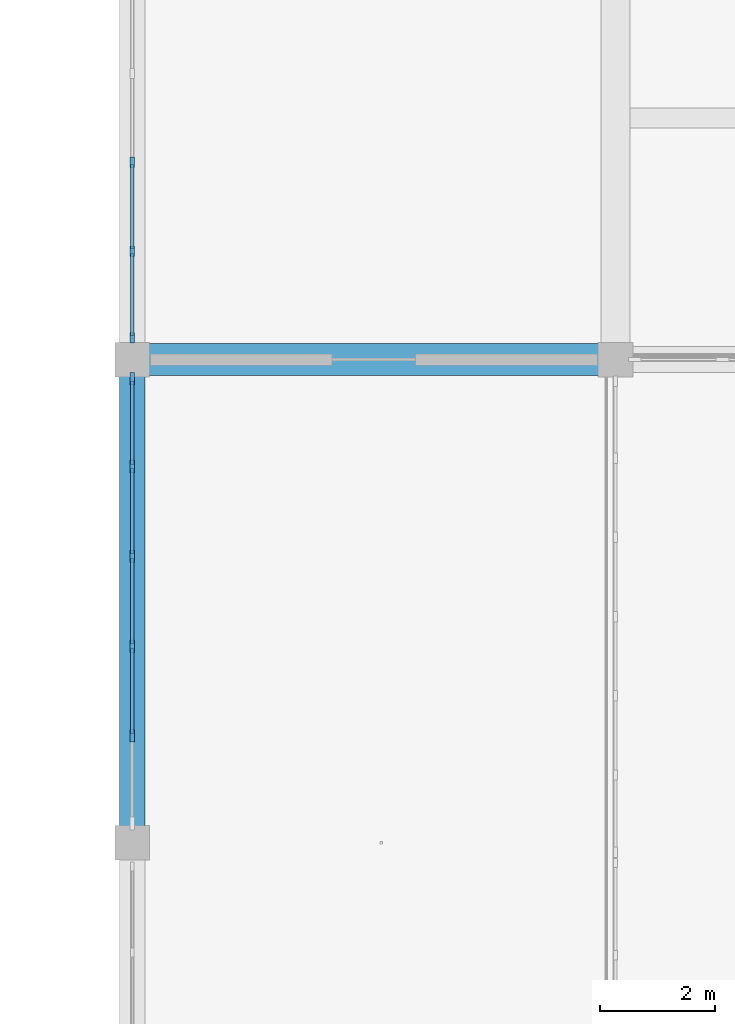
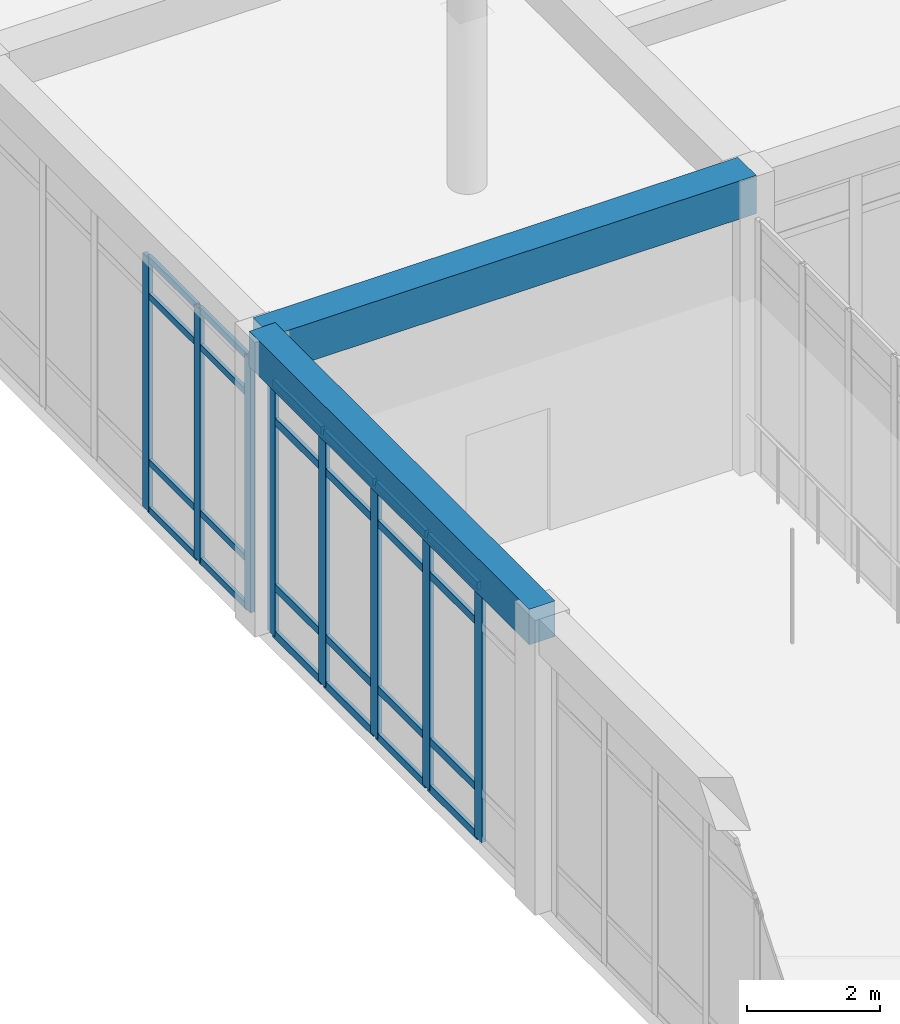
# One storey, part 14 of 157: 32 members, 2 beams, 2 elements without a shape of their own.
"""IFC4 building model written with IfcOpenShell, lengths in metres."""

import ifcopenshell
import ifcopenshell.guid

model = None  # the IFC model being written
_history = None  # IfcOwnerHistory: only IFC2X3 demands one
_inside = {}  # id of a spatial element -> (the spatial element, [elements in it])
_under = {}  # id of a project, library or spatial element -> (it, [spatial elements below it])
_declared = {}  # id of a project -> (the project, [libraries it declares])
_typed = {}  # id of a type object -> (the type object, [elements of that type])
_made_of = {}  # id of a material, layer set ... -> (it, [elements and type objects made of it])


def new_model(schema):
    """Start an empty IFC model of exactly this schema.

    Asked for "IFC4X3", IfcOpenShell would pick the latest addendum, in which some entities
    have other attributes; the version numbers below select the first issue.
    IFC2X3 requires an IfcOwnerHistory on every rooted entity: one is made here for all.
    """
    global model, _history
    if schema == "IFC4X3":
        model = ifcopenshell.file(schema_version=(4, 3, 0, 0))
    else:
        model = ifcopenshell.file(schema=schema)
    _inside.clear()
    _under.clear()
    _declared.clear()
    _typed.clear()
    _made_of.clear()
    _history = None
    if model.schema == "IFC2X3":
        org = make("IfcOrganization", Name="unknown")
        user = make(
            "IfcPersonAndOrganization",
            ThePerson=make("IfcPerson", FamilyName="unknown"),
            TheOrganization=org,
        )
        app = make(
            "IfcApplication",
            ApplicationDeveloper=org,
            Version="unknown",
            ApplicationFullName="unknown",
            ApplicationIdentifier="unknown",
        )
        _history = make(
            "IfcOwnerHistory",
            OwningUser=user,
            OwningApplication=app,
            ChangeAction="ADDED",
            CreationDate=0,
        )
    return model


def make(cls, **values):
    """One entity of the class cls with the attributes given. An attribute that is None is left unset."""
    return model.create_entity(
        cls, **{name: value for name, value in values.items() if value is not None}
    )


def rooted(cls, **values):
    """An entity with a GlobalId (a new one), such as an element, a storey or a relation."""
    return make(cls, GlobalId=ifcopenshell.guid.new(), OwnerHistory=_history, **values)


def si_unit(unit_type, name, prefix=None):
    """IfcSIUnit, for example si_unit("LENGTHUNIT", "METRE", prefix="MILLI")."""
    return make("IfcSIUnit", UnitType=unit_type, Prefix=prefix, Name=name)


def assignment(units):
    """IfcUnitAssignment: the units of a project."""
    return None if units is None else make("IfcUnitAssignment", Units=units)


def point(xyz):
    """IfcCartesianPoint."""
    return None if xyz is None else make("IfcCartesianPoint", Coordinates=xyz)


def direction(xyz):
    """IfcDirection."""
    return None if xyz is None else make("IfcDirection", DirectionRatios=xyz)


def frame(location, z_axis=None, x_axis=None):
    """IfcAxis2Placement3D, a coordinate frame: its origin and axes. An axis left out is left unset."""
    return make(
        "IfcAxis2Placement3D",
        Location=point(location),
        Axis=direction(z_axis),
        RefDirection=direction(x_axis),
    )


def frame_2d(location, x_axis=None):
    """IfcAxis2Placement2D, a coordinate frame in the plane: its origin and x axis."""
    return make(
        "IfcAxis2Placement2D", Location=point(location), RefDirection=direction(x_axis)
    )


def origin():
    """The frame at (0, 0, 0) with its axes left unset."""
    return frame((0.0, 0.0, 0.0))


def origin_2d():
    """The frame at (0, 0) in the plane with its x axis left unset."""
    return frame_2d((0.0, 0.0))


def place(relative_to, where):
    """IfcLocalPlacement: puts the frame where relative to a parent placement (None: the world)."""
    return make(
        "IfcLocalPlacement", PlacementRelTo=relative_to, RelativePlacement=where
    )


def context(
    kind, dimensions, precision=None, world=None, true_north=None, identifier=None
):
    """IfcGeometricRepresentationContext, for example the 3D "Model" context."""
    return make(
        "IfcGeometricRepresentationContext",
        ContextIdentifier=identifier,
        ContextType=kind,
        CoordinateSpaceDimension=dimensions,
        Precision=precision,
        WorldCoordinateSystem=world,
        TrueNorth=true_north,
    )


def subcontext(parent, identifier, kind, view, scale=None):
    """IfcGeometricRepresentationSubContext, for example "Body" below "Model"."""
    return make(
        "IfcGeometricRepresentationSubContext",
        ContextIdentifier=identifier,
        ContextType=kind,
        ParentContext=parent,
        TargetScale=scale,
        TargetView=view,
    )


def project(units=None, contexts=None):
    """IfcProject with its units and contexts."""
    return rooted(
        "IfcProject",
        Name="project",
        RepresentationContexts=contexts,
        UnitsInContext=assignment(units),
    )


def spatial(cls, under=None, at=None, **own):
    """A site, building, storey or space (cls), placed at a placement, below another one or the project."""
    s = rooted(cls, ObjectPlacement=at, **own)
    if under is not None:
        _under.setdefault(under.id(), (under, []))[1].append(s)
    return s


def profile(cls, at=None, kind="AREA", **sizes):
    """A parametric profile (cls). Its sizes go by their IFC names, for example OverallWidth=200.0."""
    return make(cls, ProfileType=kind, Position=at, **sizes)


def rectangle(**sizes):
    """IfcRectangleProfileDef."""
    return profile("IfcRectangleProfileDef", **sizes)


def extrude(swept, where, along, depth):
    """IfcExtrudedAreaSolid: the profile swept, set in the frame where, extruded along a direction by depth."""
    return make(
        "IfcExtrudedAreaSolid",
        SweptArea=swept,
        Position=where,
        ExtrudedDirection=direction(along),
        Depth=depth,
    )


def shape(context_of_items, identifier, shape_type, items):
    """IfcShapeRepresentation: the items that make up one representation, for example the "Body"."""
    return make(
        "IfcShapeRepresentation",
        ContextOfItems=context_of_items,
        RepresentationIdentifier=identifier,
        RepresentationType=shape_type,
        Items=items,
    )


def material(Name=None, Category=None):
    """IfcMaterial."""
    return make("IfcMaterial", Name=Name, Category=Category)


def material_profile(
    of_material, cross_section, Name=None, Category=None, Priority=None
):
    """IfcMaterialProfile: a cross section and its material."""
    return make(
        "IfcMaterialProfile",
        Name=Name,
        Material=of_material,
        Profile=cross_section,
        Priority=Priority,
        Category=Category,
    )


def profile_set(profiles, Name=None, composite=None):
    """IfcMaterialProfileSet."""
    return make(
        "IfcMaterialProfileSet",
        Name=Name,
        MaterialProfiles=profiles,
        CompositeProfile=composite,
    )


def made_of(thing, what):
    """Note that an element or type object is made of a material, layer set ...; save() writes the relation."""
    if what is not None:
        _made_of.setdefault(what.id(), (what, []))[1].append(thing)
    return thing


def type_object(cls, material=None, **own):
    """A type object (cls), such as IfcWallType, which elements share."""
    return made_of(rooted(cls, **own), material)


def element(
    cls,
    number,
    at=None,
    inside=None,
    cuts=None,
    type_object=None,
    material=None,
    context=None,
    identifier="Body",
    shape_type=None,
    held_by="IfcProductDefinitionShape",
    body=None,
    shapes=None,
    **own,
):
    """One element of the class cls, such as IfcWall. Its Tag is "e" and its number.

    at: its placement. inside: the storey or other place that contains it. cuts: it is an
    opening in that element (IfcRelVoidsElement). A single representation is given by context,
    identifier, shape_type and body (its items); several are given by shapes. held_by: the class
    of the entity that holds the representations. save() writes the other relations.
    """
    e = rooted(cls, Tag="e%d" % number, ObjectPlacement=at, **own)
    if body is not None:
        shapes = [shape(context, identifier, shape_type, body)]
    if shapes is not None:
        e.Representation = make(held_by, Representations=shapes)
    if inside is not None:
        _inside.setdefault(inside.id(), (inside, []))[1].append(e)
    if cuts is not None:
        rooted(
            "IfcRelVoidsElement", RelatingBuildingElement=cuts, RelatedOpeningElement=e
        )
    if type_object is not None:
        _typed.setdefault(type_object.id(), (type_object, []))[1].append(e)
    return made_of(e, material)


def aggregate(whole, parts):
    """IfcRelAggregates: a whole, such as a stair, and the parts it consists of."""
    return rooted("IfcRelAggregates", RelatingObject=whole, RelatedObjects=parts)


def save(model, path):
    """Write the relations noted so far, then the file.

    IfcRelAggregates (storeys below a building ...), IfcRelContainedInSpatialStructure (elements
    in a storey), IfcRelDefinesByType, IfcRelAssociatesMaterial and IfcRelDeclares: one each for
    every whole, place, type object, material and project.
    """
    for whole, parts in _under.values():
        aggregate(whole, parts)
    for where, things in _inside.values():
        rooted(
            "IfcRelContainedInSpatialStructure",
            RelatedElements=things,
            RelatingStructure=where,
        )
    for kind, things in _typed.values():
        rooted("IfcRelDefinesByType", RelatedObjects=things, RelatingType=kind)
    for what, things in _made_of.values():
        rooted("IfcRelAssociatesMaterial", RelatedObjects=things, RelatingMaterial=what)
    for by, libraries in _declared.values():
        rooted("IfcRelDeclares", RelatingContext=by, RelatedDefinitions=libraries)
    model.write(path)


model = new_model("IFC4")

# Units and contexts
model_context = context("Model", 3, precision=1e-05, world=origin(), true_north=direction((0.0, 1.0)))
body_context = subcontext(model_context, "Body", "Model", "MODEL_VIEW")
ifc_project = project(units=[si_unit("LENGTHUNIT", "METRE"), si_unit("AREAUNIT", "SQUARE_METRE"), si_unit("VOLUMEUNIT", "CUBIC_METRE"), si_unit("PLANEANGLEUNIT", "RADIAN"), si_unit("MASSUNIT", "GRAM", prefix="KILO")], contexts=[model_context])

# Site, building, storey
site_placement = place(None, origin())
site = spatial("IfcSite", under=ifc_project, at=site_placement, CompositionType="ELEMENT")
building_placement = place(site_placement, origin())
building = spatial("IfcBuilding", under=site, at=building_placement, Name="Varncliffe General Hospital", CompositionType="ELEMENT")
storey_placement = place(building_placement, frame((0.0, 0.0, 5.39990234375)))
storey = spatial("IfcBuildingStorey", under=building, at=storey_placement, Name="L01", CompositionType="ELEMENT", Elevation=5.39990234375)

# Beam
ifc_material_1 = material(Name="Concrete C35/45 (CSA A23.1 35 MPa)", Category="concrete")
ifc_material_profile_1 = material_profile(ifc_material_1, rectangle(XDim=0.550048828125, YDim=0.699951171875, at=origin_2d()), Name="RC 550x700")
ifc_profile_set_1 = profile_set([ifc_material_profile_1], Name="Concrete C35/45 (CSA A23.1 35 MPa)")
beam_type_1 = type_object("IfcBeamType", Name="Beam B35 (Int RC 550x700)", PredefinedType="BEAM", material=ifc_profile_set_1)
beam_1_placement = place(storey_placement, frame((58.800048828125, 57.60009765625, 5.050048828125), z_axis=(1.0, 0.0, 0.0), x_axis=(0.0, 1.0, 0.0)))
element("IfcBeam", 1, at=beam_1_placement, inside=storey, type_object=beam_type_1, Name="L01 Primary Beam B35-76", PredefinedType="BEAM", context=body_context, shape_type="SweptSolid", body=[
    extrude(rectangle(XDim=0.550048828125, YDim=0.699951171875, at=origin_2d()), origin(), (0.0, 0.0, 1.0), 8.39990234375),
])

# Curtain wall, members
ifc_material_2 = material(Name="Triple low-E argon insulated vision glazing", Category="glass")
curtain_wall_type_1 = type_object("IfcCurtainWallType", Name="Unitised Glazed Curtain Wall CW70 (7724x4640)", PredefinedType="USERDEFINED", material=ifc_material_2)
curtain_wall_1_placement = place(storey_placement, origin())
curtain_wall_1 = element("IfcCurtainWall", 2, at=curtain_wall_1_placement, inside=storey, type_object=curtain_wall_type_1, Name="L01 Glazed Curtain Wall CW70-88", ObjectType="GLAZED CURTAIN WALL", PredefinedType="USERDEFINED")
ifc_material_3 = material(Name="Dark bronze thermally broken aluminium framing", Category="aluminium")
ifc_material_profile_2 = material_profile(ifc_material_3, rectangle(XDim=0.074951171875, YDim=0.179931640625, at=origin_2d()), Name="ALU 75x180")
ifc_profile_set_2 = profile_set([ifc_material_profile_2], Name="Dark bronze thermally broken aluminium framing")
member_type_1 = type_object("IfcMemberType", Name="Curtain Wall Mullion CM44 (ALU 75x180)", PredefinedType="MULLION", material=ifc_profile_set_2)
member_1_placement = place(storey_placement, frame((58.800048828125, 57.9755859375, 0.0), z_axis=(0.0, 0.0, 1.0), x_axis=(-1.0, 0.0, 0.0)))
member_1 = element("IfcMember", 3, at=member_1_placement, type_object=member_type_1, Name="CW70 mullion 1", PredefinedType="MULLION", context=body_context, shape_type="SweptSolid", body=[
    extrude(rectangle(XDim=0.074951171875, YDim=0.179931640625, at=origin_2d()), origin(), (0.0, 0.0, 1.0), 4.64013671875),
])
member_2_placement = place(storey_placement, frame((58.800048828125, 59.48291015625, 0.0), z_axis=(0.0, 0.0, 1.0), x_axis=(-1.0, 0.0, 0.0)))
member_2 = element("IfcMember", 4, at=member_2_placement, type_object=member_type_1, Name="CW70 mullion 2", PredefinedType="MULLION", context=body_context, shape_type="SweptSolid", body=[
    extrude(rectangle(XDim=0.074951171875, YDim=0.179931640625, at=origin_2d()), origin(), (0.0, 0.0, 1.0), 4.64013671875),
])
member_3_placement = place(storey_placement, frame((58.800048828125, 61.027587890625, 0.0), z_axis=(0.0, 0.0, 1.0), x_axis=(-1.0, 0.0, 0.0)))
member_3 = element("IfcMember", 5, at=member_3_placement, type_object=member_type_1, Name="CW70 mullion 3", PredefinedType="MULLION", context=body_context, shape_type="SweptSolid", body=[
    extrude(rectangle(XDim=0.074951171875, YDim=0.179931640625, at=origin_2d()), origin(), (0.0, 0.0, 1.0), 4.64013671875),
])

curtain_wall_type_2 = type_object("IfcCurtainWallType", Name="Unitised Glazed Curtain Wall CW85 (7804x4640)", PredefinedType="USERDEFINED", material=ifc_material_2)
curtain_wall_2_placement = place(storey_placement, origin())
curtain_wall_2 = element("IfcCurtainWall", 6, at=curtain_wall_2_placement, inside=storey, type_object=curtain_wall_type_2, Name="L01 Glazed Curtain Wall CW85-87", ObjectType="GLAZED CURTAIN WALL", PredefinedType="USERDEFINED")
ifc_material_profile_3 = material_profile(ifc_material_3, rectangle(XDim=0.074951171875, YDim=0.219970703125, at=origin_2d()), Name="ALU 75x220")
ifc_profile_set_3 = profile_set([ifc_material_profile_3], Name="Dark bronze thermally broken aluminium framing")
member_type_2 = type_object("IfcMemberType", Name="Curtain Wall Mullion CM74 (ALU 75x220)", PredefinedType="MULLION", material=ifc_profile_set_3)
member_4_placement = place(storey_placement, frame((58.800048828125, 51.058837890625, 0.0), z_axis=(0.0, 0.0, 1.0), x_axis=(-1.0, 0.0, 0.0)))
member_4 = element("IfcMember", 7, at=member_4_placement, type_object=member_type_2, Name="CW85 mullion 2", PredefinedType="MULLION", context=body_context, shape_type="SweptSolid", body=[
    extrude(rectangle(XDim=0.074951171875, YDim=0.219970703125, at=origin_2d()), origin(), (0.0, 0.0, 1.0), 4.64013671875),
])
member_5_placement = place(storey_placement, frame((58.800048828125, 52.61962890625, 0.0), z_axis=(0.0, 0.0, 1.0), x_axis=(-1.0, 0.0, 0.0)))
member_5 = element("IfcMember", 8, at=member_5_placement, type_object=member_type_2, Name="CW85 mullion 3", PredefinedType="MULLION", context=body_context, shape_type="SweptSolid", body=[
    extrude(rectangle(XDim=0.074951171875, YDim=0.219970703125, at=origin_2d()), origin(), (0.0, 0.0, 1.0), 4.64013671875),
])
member_6_placement = place(storey_placement, frame((58.800048828125, 54.180419921875, 0.0), z_axis=(0.0, 0.0, 1.0), x_axis=(-1.0, 0.0, 0.0)))
member_6 = element("IfcMember", 9, at=member_6_placement, type_object=member_type_2, Name="CW85 mullion 4", PredefinedType="MULLION", context=body_context, shape_type="SweptSolid", body=[
    extrude(rectangle(XDim=0.074951171875, YDim=0.219970703125, at=origin_2d()), origin(), (0.0, 0.0, 1.0), 4.64013671875),
])
member_7_placement = place(storey_placement, frame((58.800048828125, 55.7412109375, 0.0), z_axis=(0.0, 0.0, 1.0), x_axis=(-1.0, 0.0, 0.0)))
member_7 = element("IfcMember", 10, at=member_7_placement, type_object=member_type_2, Name="CW85 mullion 5", PredefinedType="MULLION", context=body_context, shape_type="SweptSolid", body=[
    extrude(rectangle(XDim=0.074951171875, YDim=0.219970703125, at=origin_2d()), origin(), (0.0, 0.0, 1.0), 4.64013671875),
])
member_8_placement = place(storey_placement, frame((58.800048828125, 57.264404296875, 0.0), z_axis=(0.0, 0.0, 1.0), x_axis=(-1.0, 0.0, 0.0)))
member_8 = element("IfcMember", 11, at=member_8_placement, type_object=member_type_2, Name="CW85 mullion 6", PredefinedType="MULLION", context=body_context, shape_type="SweptSolid", body=[
    extrude(rectangle(XDim=0.074951171875, YDim=0.219970703125, at=origin_2d()), origin(), (0.0, 0.0, 1.0), 4.64013671875),
])

# Member
ifc_material_profile_4 = material_profile(ifc_material_3, rectangle(XDim=0.06005859375, YDim=0.1201171875, at=origin_2d()), Name="ALU 60x120")
ifc_profile_set_4 = profile_set([ifc_material_profile_4], Name="Dark bronze thermally broken aluminium framing")
member_type_3 = type_object("IfcMemberType", Name="Curtain Wall Transom CT14 (ALU 60x120)", PredefinedType="USERDEFINED", material=ifc_profile_set_4)
member_9_placement = place(storey_placement, frame((58.800048828125, 58.012939453125, 0.030029296875), z_axis=(0.0, 1.0, 0.0), x_axis=(-1.0, 0.0, 0.0)))
member_9 = element("IfcMember", 12, at=member_9_placement, type_object=member_type_3, Name="CW70 transom 1.1", ObjectType="TRANSOM", PredefinedType="USERDEFINED", context=body_context, shape_type="SweptSolid", body=[
    extrude(rectangle(XDim=0.06005859375, YDim=0.1201171875, at=origin_2d()), origin(), (0.0, 0.0, 1.0), 1.432373046875),
])

member_10_placement = place(storey_placement, frame((58.800048828125, 58.012939453125, 0.900146484375), z_axis=(0.0, 1.0, 0.0), x_axis=(-1.0, 0.0, 0.0)))
member_10 = element("IfcMember", 13, at=member_10_placement, type_object=member_type_3, Name="CW70 transom 1.2", ObjectType="TRANSOM", PredefinedType="USERDEFINED", context=body_context, shape_type="SweptSolid", body=[
    extrude(rectangle(XDim=0.06005859375, YDim=0.1201171875, at=origin_2d()), origin(), (0.0, 0.0, 1.0), 1.432373046875),
])

member_11_placement = place(storey_placement, frame((58.800048828125, 58.012939453125, 3.940185546875), z_axis=(0.0, 1.0, 0.0), x_axis=(-1.0, 0.0, 0.0)))
member_11 = element("IfcMember", 14, at=member_11_placement, type_object=member_type_3, Name="CW70 transom 1.3", ObjectType="TRANSOM", PredefinedType="USERDEFINED", context=body_context, shape_type="SweptSolid", body=[
    extrude(rectangle(XDim=0.06005859375, YDim=0.1201171875, at=origin_2d()), origin(), (0.0, 0.0, 1.0), 1.432373046875),
])

member_12_placement = place(storey_placement, frame((58.800048828125, 58.012939453125, 4.610107421875), z_axis=(0.0, 1.0, 0.0), x_axis=(-1.0, 0.0, 0.0)))
member_12 = element("IfcMember", 15, at=member_12_placement, type_object=member_type_3, Name="CW70 transom 1.4", ObjectType="TRANSOM", PredefinedType="USERDEFINED", context=body_context, shape_type="SweptSolid", body=[
    extrude(rectangle(XDim=0.06005859375, YDim=0.1201171875, at=origin_2d()), origin(), (0.0, 0.0, 1.0), 1.432373046875),
])

member_13_placement = place(storey_placement, frame((58.800048828125, 59.520263671875, 0.030029296875), z_axis=(0.0, 1.0, 0.0), x_axis=(-1.0, 0.0, 0.0)))
member_13 = element("IfcMember", 16, at=member_13_placement, type_object=member_type_3, Name="CW70 transom 2.1", ObjectType="TRANSOM", PredefinedType="USERDEFINED", context=body_context, shape_type="SweptSolid", body=[
    extrude(rectangle(XDim=0.06005859375, YDim=0.1201171875, at=origin_2d()), origin(), (0.0, 0.0, 1.0), 1.4697265625),
])

member_14_placement = place(storey_placement, frame((58.800048828125, 59.520263671875, 0.900146484375), z_axis=(0.0, 1.0, 0.0), x_axis=(-1.0, 0.0, 0.0)))
member_14 = element("IfcMember", 17, at=member_14_placement, type_object=member_type_3, Name="CW70 transom 2.2", ObjectType="TRANSOM", PredefinedType="USERDEFINED", context=body_context, shape_type="SweptSolid", body=[
    extrude(rectangle(XDim=0.06005859375, YDim=0.1201171875, at=origin_2d()), origin(), (0.0, 0.0, 1.0), 1.4697265625),
])

member_15_placement = place(storey_placement, frame((58.800048828125, 59.520263671875, 3.940185546875), z_axis=(0.0, 1.0, 0.0), x_axis=(-1.0, 0.0, 0.0)))
member_15 = element("IfcMember", 18, at=member_15_placement, type_object=member_type_3, Name="CW70 transom 2.3", ObjectType="TRANSOM", PredefinedType="USERDEFINED", context=body_context, shape_type="SweptSolid", body=[
    extrude(rectangle(XDim=0.06005859375, YDim=0.1201171875, at=origin_2d()), origin(), (0.0, 0.0, 1.0), 1.4697265625),
])

member_16_placement = place(storey_placement, frame((58.800048828125, 59.520263671875, 4.610107421875), z_axis=(0.0, 1.0, 0.0), x_axis=(-1.0, 0.0, 0.0)))
member_16 = element("IfcMember", 19, at=member_16_placement, type_object=member_type_3, Name="CW70 transom 2.4", ObjectType="TRANSOM", PredefinedType="USERDEFINED", context=body_context, shape_type="SweptSolid", body=[
    extrude(rectangle(XDim=0.06005859375, YDim=0.1201171875, at=origin_2d()), origin(), (0.0, 0.0, 1.0), 1.4697265625),
])

aggregate(curtain_wall_1, [member_1, member_2, member_3, member_9, member_10, member_11, member_12, member_13, member_14, member_15, member_16])

ifc_material_profile_5 = material_profile(ifc_material_3, rectangle(XDim=0.06494140625, YDim=0.139892578125, at=origin_2d()), Name="ALU 65x140")
ifc_profile_set_5 = profile_set([ifc_material_profile_5], Name="Dark bronze thermally broken aluminium framing")
member_type_4 = type_object("IfcMemberType", Name="Curtain Wall Transom CT69 (ALU 65x140)", PredefinedType="USERDEFINED", material=ifc_profile_set_5)
member_17_placement = place(storey_placement, frame((58.800048828125, 51.09619140625, 0.03271484375), z_axis=(0.0, 1.0, 0.0), x_axis=(-1.0, 0.0, 0.0)))
member_17 = element("IfcMember", 20, at=member_17_placement, type_object=member_type_4, Name="CW85 transom 2.1", ObjectType="TRANSOM", PredefinedType="USERDEFINED", context=body_context, shape_type="SweptSolid", body=[
    extrude(rectangle(XDim=0.06494140625, YDim=0.139892578125, at=origin_2d()), origin(), (0.0, 0.0, 1.0), 1.48583984375),
])

member_18_placement = place(storey_placement, frame((58.800048828125, 51.09619140625, 0.900146484375), z_axis=(0.0, 1.0, 0.0), x_axis=(-1.0, 0.0, 0.0)))
member_18 = element("IfcMember", 21, at=member_18_placement, type_object=member_type_4, Name="CW85 transom 2.2", ObjectType="TRANSOM", PredefinedType="USERDEFINED", context=body_context, shape_type="SweptSolid", body=[
    extrude(rectangle(XDim=0.06494140625, YDim=0.139892578125, at=origin_2d()), origin(), (0.0, 0.0, 1.0), 1.48583984375),
])

member_19_placement = place(storey_placement, frame((58.800048828125, 51.09619140625, 3.940185546875), z_axis=(0.0, 1.0, 0.0), x_axis=(-1.0, 0.0, 0.0)))
member_19 = element("IfcMember", 22, at=member_19_placement, type_object=member_type_4, Name="CW85 transom 2.3", ObjectType="TRANSOM", PredefinedType="USERDEFINED", context=body_context, shape_type="SweptSolid", body=[
    extrude(rectangle(XDim=0.06494140625, YDim=0.139892578125, at=origin_2d()), origin(), (0.0, 0.0, 1.0), 1.48583984375),
])

member_20_placement = place(storey_placement, frame((58.800048828125, 51.09619140625, 4.607666015625), z_axis=(0.0, 1.0, 0.0), x_axis=(-1.0, 0.0, 0.0)))
member_20 = element("IfcMember", 23, at=member_20_placement, type_object=member_type_4, Name="CW85 transom 2.4", ObjectType="TRANSOM", PredefinedType="USERDEFINED", context=body_context, shape_type="SweptSolid", body=[
    extrude(rectangle(XDim=0.06494140625, YDim=0.139892578125, at=origin_2d()), origin(), (0.0, 0.0, 1.0), 1.48583984375),
])

member_21_placement = place(storey_placement, frame((58.800048828125, 52.656982421875, 0.03271484375), z_axis=(0.0, 1.0, 0.0), x_axis=(-1.0, 0.0, 0.0)))
member_21 = element("IfcMember", 24, at=member_21_placement, type_object=member_type_4, Name="CW85 transom 3.1", ObjectType="TRANSOM", PredefinedType="USERDEFINED", context=body_context, shape_type="SweptSolid", body=[
    extrude(rectangle(XDim=0.06494140625, YDim=0.139892578125, at=origin_2d()), origin(), (0.0, 0.0, 1.0), 1.48583984375),
])

member_22_placement = place(storey_placement, frame((58.800048828125, 52.656982421875, 0.900146484375), z_axis=(0.0, 1.0, 0.0), x_axis=(-1.0, 0.0, 0.0)))
member_22 = element("IfcMember", 25, at=member_22_placement, type_object=member_type_4, Name="CW85 transom 3.2", ObjectType="TRANSOM", PredefinedType="USERDEFINED", context=body_context, shape_type="SweptSolid", body=[
    extrude(rectangle(XDim=0.06494140625, YDim=0.139892578125, at=origin_2d()), origin(), (0.0, 0.0, 1.0), 1.48583984375),
])

member_23_placement = place(storey_placement, frame((58.800048828125, 52.656982421875, 3.940185546875), z_axis=(0.0, 1.0, 0.0), x_axis=(-1.0, 0.0, 0.0)))
member_23 = element("IfcMember", 26, at=member_23_placement, type_object=member_type_4, Name="CW85 transom 3.3", ObjectType="TRANSOM", PredefinedType="USERDEFINED", context=body_context, shape_type="SweptSolid", body=[
    extrude(rectangle(XDim=0.06494140625, YDim=0.139892578125, at=origin_2d()), origin(), (0.0, 0.0, 1.0), 1.48583984375),
])

member_24_placement = place(storey_placement, frame((58.800048828125, 52.656982421875, 4.607666015625), z_axis=(0.0, 1.0, 0.0), x_axis=(-1.0, 0.0, 0.0)))
member_24 = element("IfcMember", 27, at=member_24_placement, type_object=member_type_4, Name="CW85 transom 3.4", ObjectType="TRANSOM", PredefinedType="USERDEFINED", context=body_context, shape_type="SweptSolid", body=[
    extrude(rectangle(XDim=0.06494140625, YDim=0.139892578125, at=origin_2d()), origin(), (0.0, 0.0, 1.0), 1.48583984375),
])

member_25_placement = place(storey_placement, frame((58.800048828125, 54.218017578125, 0.03271484375), z_axis=(0.0, 1.0, 0.0), x_axis=(-1.0, 0.0, 0.0)))
member_25 = element("IfcMember", 28, at=member_25_placement, type_object=member_type_4, Name="CW85 transom 4.1", ObjectType="TRANSOM", PredefinedType="USERDEFINED", context=body_context, shape_type="SweptSolid", body=[
    extrude(rectangle(XDim=0.06494140625, YDim=0.139892578125, at=origin_2d()), origin(), (0.0, 0.0, 1.0), 1.485595703125),
])

member_26_placement = place(storey_placement, frame((58.800048828125, 54.218017578125, 0.900146484375), z_axis=(0.0, 1.0, 0.0), x_axis=(-1.0, 0.0, 0.0)))
member_26 = element("IfcMember", 29, at=member_26_placement, type_object=member_type_4, Name="CW85 transom 4.2", ObjectType="TRANSOM", PredefinedType="USERDEFINED", context=body_context, shape_type="SweptSolid", body=[
    extrude(rectangle(XDim=0.06494140625, YDim=0.139892578125, at=origin_2d()), origin(), (0.0, 0.0, 1.0), 1.485595703125),
])

member_27_placement = place(storey_placement, frame((58.800048828125, 54.218017578125, 3.940185546875), z_axis=(0.0, 1.0, 0.0), x_axis=(-1.0, 0.0, 0.0)))
member_27 = element("IfcMember", 30, at=member_27_placement, type_object=member_type_4, Name="CW85 transom 4.3", ObjectType="TRANSOM", PredefinedType="USERDEFINED", context=body_context, shape_type="SweptSolid", body=[
    extrude(rectangle(XDim=0.06494140625, YDim=0.139892578125, at=origin_2d()), origin(), (0.0, 0.0, 1.0), 1.485595703125),
])

member_28_placement = place(storey_placement, frame((58.800048828125, 54.218017578125, 4.607666015625), z_axis=(0.0, 1.0, 0.0), x_axis=(-1.0, 0.0, 0.0)))
member_28 = element("IfcMember", 31, at=member_28_placement, type_object=member_type_4, Name="CW85 transom 4.4", ObjectType="TRANSOM", PredefinedType="USERDEFINED", context=body_context, shape_type="SweptSolid", body=[
    extrude(rectangle(XDim=0.06494140625, YDim=0.139892578125, at=origin_2d()), origin(), (0.0, 0.0, 1.0), 1.485595703125),
])

member_29_placement = place(storey_placement, frame((58.800048828125, 55.77880859375, 0.03271484375), z_axis=(0.0, 1.0, 0.0), x_axis=(-1.0, 0.0, 0.0)))
member_29 = element("IfcMember", 32, at=member_29_placement, type_object=member_type_4, Name="CW85 transom 5.1", ObjectType="TRANSOM", PredefinedType="USERDEFINED", context=body_context, shape_type="SweptSolid", body=[
    extrude(rectangle(XDim=0.06494140625, YDim=0.139892578125, at=origin_2d()), origin(), (0.0, 0.0, 1.0), 1.4482421875),
])

member_30_placement = place(storey_placement, frame((58.800048828125, 55.77880859375, 0.900146484375), z_axis=(0.0, 1.0, 0.0), x_axis=(-1.0, 0.0, 0.0)))
member_30 = element("IfcMember", 33, at=member_30_placement, type_object=member_type_4, Name="CW85 transom 5.2", ObjectType="TRANSOM", PredefinedType="USERDEFINED", context=body_context, shape_type="SweptSolid", body=[
    extrude(rectangle(XDim=0.06494140625, YDim=0.139892578125, at=origin_2d()), origin(), (0.0, 0.0, 1.0), 1.4482421875),
])

member_31_placement = place(storey_placement, frame((58.800048828125, 55.77880859375, 3.940185546875), z_axis=(0.0, 1.0, 0.0), x_axis=(-1.0, 0.0, 0.0)))
member_31 = element("IfcMember", 34, at=member_31_placement, type_object=member_type_4, Name="CW85 transom 5.3", ObjectType="TRANSOM", PredefinedType="USERDEFINED", context=body_context, shape_type="SweptSolid", body=[
    extrude(rectangle(XDim=0.06494140625, YDim=0.139892578125, at=origin_2d()), origin(), (0.0, 0.0, 1.0), 1.4482421875),
])

member_32_placement = place(storey_placement, frame((58.800048828125, 55.77880859375, 4.607666015625), z_axis=(0.0, 1.0, 0.0), x_axis=(-1.0, 0.0, 0.0)))
member_32 = element("IfcMember", 35, at=member_32_placement, type_object=member_type_4, Name="CW85 transom 5.4", ObjectType="TRANSOM", PredefinedType="USERDEFINED", context=body_context, shape_type="SweptSolid", body=[
    extrude(rectangle(XDim=0.06494140625, YDim=0.139892578125, at=origin_2d()), origin(), (0.0, 0.0, 1.0), 1.4482421875),
])

aggregate(curtain_wall_2, [member_4, member_5, member_6, member_7, member_8, member_17, member_18, member_19, member_20, member_21, member_22, member_23, member_24, member_25, member_26, member_27, member_28, member_29, member_30, member_31, member_32])

# Beam
ifc_material_profile_6 = material_profile(ifc_material_1, rectangle(XDim=0.449951171875, YDim=0.64990234375, at=origin_2d()), Name="RC 450x650")
ifc_profile_set_6 = profile_set([ifc_material_profile_6], Name="Concrete C35/45 (CSA A23.1 35 MPa)")
beam_type_2 = type_object("IfcBeamType", Name="Spandrel SP38 (Ext RC 450x650B)", PredefinedType="SPANDREL", material=ifc_profile_set_6)
beam_2_placement = place(storey_placement, frame((58.800048828125, 49.199951171875, 5.0751953125), z_axis=(0.0, 1.0, 0.0), x_axis=(-1.0, 0.0, 0.0)))
element("IfcBeam", 36, at=beam_2_placement, inside=storey, type_object=beam_type_2, Name="L01 Spandrel Beam SP38-358", PredefinedType="SPANDREL", context=body_context, shape_type="SweptSolid", body=[
    extrude(rectangle(XDim=0.449951171875, YDim=0.64990234375, at=origin_2d()), origin(), (0.0, 0.0, 1.0), 8.400146484375),
])

save(model, "model.ifc")
